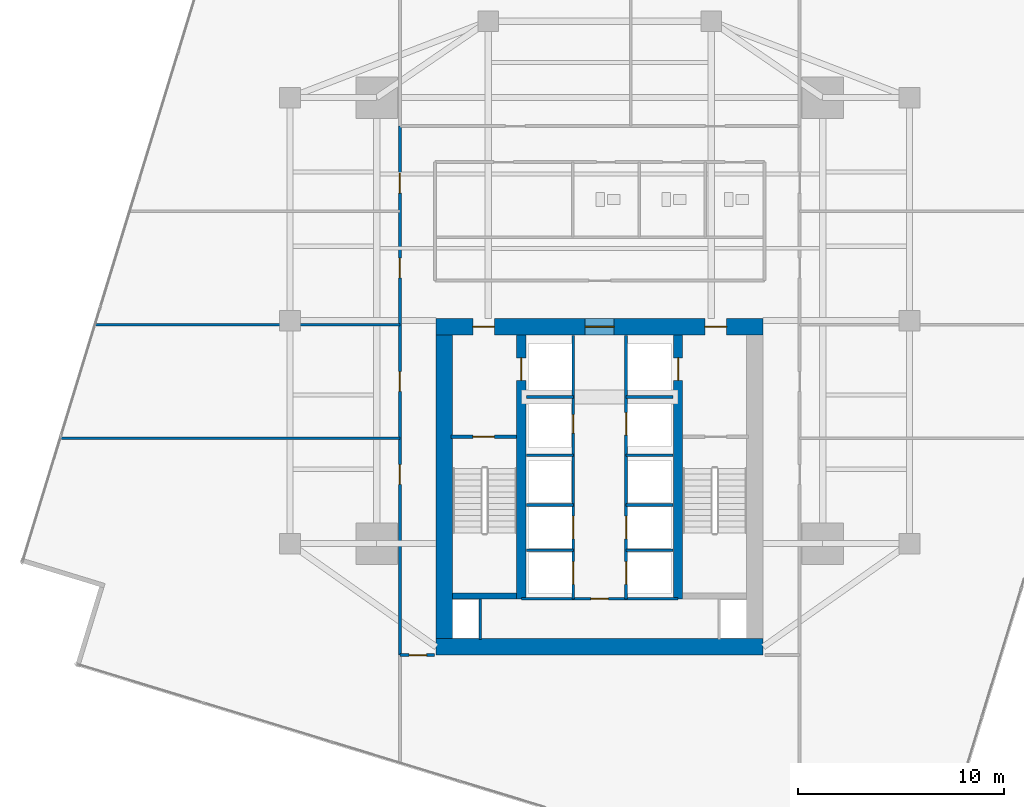
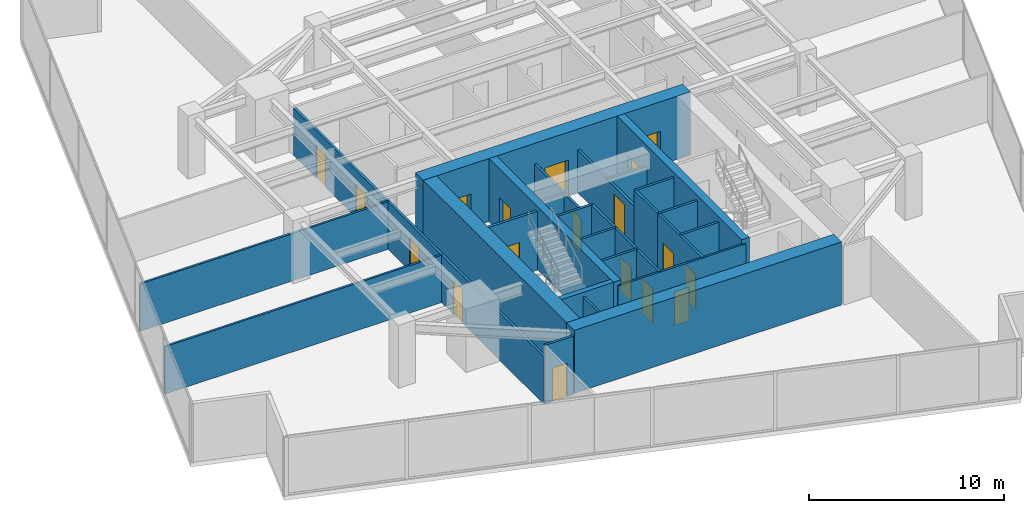
# One storey, part 22 of 26: 27 walls, 18 doors, 18 openings.
"""IFC4 building model written with IfcOpenShell, lengths in metres."""

from ifc_helpers import new_model, si_unit, direction, frame, frame_2d, origin, place, context, subcontext, project, spatial, rectangle, extrude, material, layer, layer_set, type_object, element, fill, save


model = new_model("IFC4")

# Units and contexts
model_context = context("Model", 3, precision=1e-05, world=origin(), true_north=direction((0.0, 1.0)))
body_context = subcontext(model_context, "Body", "Model", "MODEL_VIEW")
ifc_project = project(units=[si_unit("LENGTHUNIT", "METRE"), si_unit("AREAUNIT", "SQUARE_METRE"), si_unit("VOLUMEUNIT", "CUBIC_METRE"), si_unit("PLANEANGLEUNIT", "RADIAN"), si_unit("MASSUNIT", "GRAM", prefix="KILO")], contexts=[model_context])

# Site, building, storey
site_placement = place(None, origin())
site = spatial("IfcSite", under=ifc_project, at=site_placement, CompositionType="ELEMENT")
building_placement = place(site_placement, origin())
building = spatial("IfcBuilding", under=site, at=building_placement, Name="Krantzveldt Concourse Tower", CompositionType="ELEMENT")
storey_placement = place(building_placement, frame((0.0, 0.0, 113.75)))
storey = spatial("IfcBuildingStorey", under=building, at=storey_placement, Name="L27", CompositionType="ELEMENT", Elevation=113.75)

# Wall, opening, door
ifc_material_1 = material(Name="Fire-rated gypsum plasterboard on steel stud", Category="steel")
ifc_layer_1 = layer(ifc_material_1, 0.1201171875, Name="Fire-rated gypsum plasterboard on steel stud", Category="steel")
ifc_layer_set_1 = layer_set([ifc_layer_1], Name="Fire-rated gypsum plasterboard on steel stud (WL-PART-120)")
wall_type_1 = type_object("IfcWallType", Name="WL-PART-120", PredefinedType="PARTITIONING", material=ifc_layer_set_1)
wall_1_placement = place(storey_placement, frame((32.2099609375, 13.219970703125, 0.0), z_axis=(0.0, 0.0, 1.0), x_axis=(1.0, 0.0, 0.0)))
wall_1 = element("IfcWall", 1, at=wall_1_placement, inside=storey, type_object=wall_type_1, Name="WP-L27-CS2H", PredefinedType="PARTITIONING", context=body_context, shape_type="SweptSolid", body=[
    extrude(rectangle(XDim=7.580078125, YDim=0.1201171875, at=frame_2d((3.7900390625, 0.0))), origin(), (0.0, 0.0, 1.0), 3.669921875),
])
opening_1_placement = place(wall_1_placement, frame((3.364990234375, 0.0, 0.0)))
opening_1 = element("IfcOpeningElement", 2, at=opening_1_placement, cuts=wall_1, Name="Opening D-IN085", PredefinedType="OPENING", context=body_context, shape_type="SweptSolid", body=[
    extrude(rectangle(XDim=0.85009765625, YDim=2.10009765625, at=frame_2d((0.425048828125, 1.050048828125))), frame((0.0, 0.070068359375, 0.0), z_axis=(0.0, -1.0, 0.0), x_axis=(1.0, 0.0, 0.0)), (0.0, 0.0, 1.0), 0.14013671875),
])
ifc_material_2 = material(Name="Hardwood timber", Category="wood")
door_type_1 = type_object("IfcDoorType", Name="DR-INT-850", OperationType="SINGLE_SWING_LEFT", PredefinedType="DOOR", material=ifc_material_2)
door_1_placement = place(opening_1_placement, origin())
door_1 = element("IfcDoor", 3, at=door_1_placement, inside=storey, type_object=door_type_1, Name="DR-L27-CSC1", OperationType="SINGLE_SWING_RIGHT", OverallHeight=2.10009765625, OverallWidth=0.85009765625, PredefinedType="DOOR", context=body_context, shape_type="SweptSolid", body=[
    extrude(rectangle(XDim=0.85009765625, YDim=2.10009765625, at=frame_2d((0.425048828125, 1.050048828125))), frame((0.0, 0.02490234375, 0.0), z_axis=(0.0, -1.0, 0.0), x_axis=(1.0, 0.0, 0.0)), (0.0, 0.0, 1.0), 0.050048828125),
])
fill(opening_1, door_1)

# Walls
wall_2_placement = place(storey_placement, frame((9.88232421875, 21.0, 0.0), z_axis=(0.0, 0.0, 1.0), x_axis=(1.0, 0.0, 0.0)))
element("IfcWall", 4, at=wall_2_placement, inside=storey, type_object=wall_type_1, Name="WP-L27-WD1", PredefinedType="PARTITIONING", context=body_context, shape_type="SweptSolid", body=[
    extrude(rectangle(XDim=16.437744140625, YDim=0.1201171875, at=frame_2d((8.21875, 0.0))), origin(), (0.0, 0.0, 1.0), 2.969970703125),
])
wall_3_placement = place(storey_placement, frame((11.563720703125, 26.5, 0.0), z_axis=(0.0, 0.0, 1.0), x_axis=(1.0, 0.0, 0.0)))
element("IfcWall", 5, at=wall_3_placement, inside=storey, type_object=wall_type_1, Name="WP-L27-WD2", PredefinedType="PARTITIONING", context=body_context, shape_type="SweptSolid", body=[
    extrude(rectangle(XDim=14.75634765625, YDim=0.1201171875, at=frame_2d((7.378173828125, 0.0))), origin(), (0.0, 0.0, 1.0), 2.969970703125),
])

# Wall, openings, doors
ifc_layer_2 = layer(ifc_material_1, 0.139892578125, Name="Fire-rated gypsum plasterboard on steel stud", Category="steel")
ifc_layer_set_2 = layer_set([ifc_layer_2], Name="Fire-rated gypsum plasterboard on steel stud (WL-PART-140)")
wall_type_2 = type_object("IfcWallType", Name="WL-PART-140", PredefinedType="PARTITIONING", material=ifc_layer_set_2)
wall_4_placement = place(storey_placement, frame((26.320068359375, 10.5, 0.0), z_axis=(0.0, 0.0, 1.0), x_axis=(0.0, 1.0, 0.0)))
wall_4 = element("IfcWall", 6, at=wall_4_placement, inside=storey, type_object=wall_type_2, Name="WP-L27-CWEST", PredefinedType="PARTITIONING", context=body_context, shape_type="SweptSolid", body=[
    extrude(rectangle(XDim=25.6201171875, YDim=0.139892578125, at=frame_2d((12.81005859375, 0.0))), origin(), (0.0, 0.0, 1.0), 2.969970703125),
])
opening_2_placement = place(wall_4_placement, frame((8.27490234375, 0.0, 0.0)))
opening_2 = element("IfcOpeningElement", 7, at=opening_2_placement, cuts=wall_4, Name="Opening D-IN095", PredefinedType="OPENING", context=body_context, shape_type="SweptSolid", body=[
    extrude(rectangle(XDim=0.949951171875, YDim=2.10009765625, at=frame_2d((0.47509765625, 1.050048828125))), frame((0.0, 0.080078125, 0.0), z_axis=(0.0, -1.0, 0.0), x_axis=(1.0, 0.0, 0.0)), (0.0, 0.0, 1.0), 0.159912109375),
])
opening_3_placement = place(wall_4_placement, frame((12.77490234375, 0.0, 0.0)))
opening_3 = element("IfcOpeningElement", 8, at=opening_3_placement, cuts=wall_4, Name="Opening D-IN095", PredefinedType="OPENING", context=body_context, shape_type="SweptSolid", body=[
    extrude(rectangle(XDim=0.949951171875, YDim=2.10009765625, at=frame_2d((0.47509765625, 1.050048828125))), frame((0.0, 0.080078125, 0.0), z_axis=(0.0, -1.0, 0.0), x_axis=(1.0, 0.0, 0.0)), (0.0, 0.0, 1.0), 0.159912109375),
])
opening_4_placement = place(wall_4_placement, frame((18.27490234375, 0.0, 0.0)))
opening_4 = element("IfcOpeningElement", 9, at=opening_4_placement, cuts=wall_4, Name="Opening D-IN095", PredefinedType="OPENING", context=body_context, shape_type="SweptSolid", body=[
    extrude(rectangle(XDim=0.949951171875, YDim=2.10009765625, at=frame_2d((0.47509765625, 1.050048828125))), frame((0.0, 0.080078125, 0.0), z_axis=(0.0, -1.0, 0.0), x_axis=(1.0, 0.0, 0.0)), (0.0, 0.0, 1.0), 0.159912109375),
])
opening_5_placement = place(wall_4_placement, frame((22.375, 0.0, 0.0)))
opening_5 = element("IfcOpeningElement", 10, at=opening_5_placement, cuts=wall_4, Name="Opening D-IN095", PredefinedType="OPENING", context=body_context, shape_type="SweptSolid", body=[
    extrude(rectangle(XDim=0.949951171875, YDim=2.10009765625, at=frame_2d((0.47509765625, 1.050048828125))), frame((0.0, 0.080078125, 0.0), z_axis=(0.0, -1.0, 0.0), x_axis=(1.0, 0.0, 0.0)), (0.0, 0.0, 1.0), 0.159912109375),
])
door_type_2 = type_object("IfcDoorType", Name="DR-INT-950", OperationType="SINGLE_SWING_LEFT", PredefinedType="DOOR", material=ifc_material_2)
door_2_placement = place(opening_2_placement, origin())
door_2 = element("IfcDoor", 11, at=door_2_placement, inside=storey, type_object=door_type_2, Name="DR-L27-WR1", OperationType="SINGLE_SWING_LEFT", OverallHeight=2.10009765625, OverallWidth=0.949951171875, PredefinedType="DOOR", context=body_context, shape_type="SweptSolid", body=[
    extrude(rectangle(XDim=0.949951171875, YDim=2.10009765625, at=frame_2d((0.47509765625, 1.050048828125))), frame((0.0, 0.02490234375, 0.0), z_axis=(0.0, -1.0, 0.0), x_axis=(1.0, 0.0, 0.0)), (0.0, 0.0, 1.0), 0.050048828125),
])
fill(opening_2, door_2)
door_3_placement = place(opening_3_placement, origin())
door_3 = element("IfcDoor", 12, at=door_3_placement, inside=storey, type_object=door_type_2, Name="DR-L27-WR2", OperationType="SINGLE_SWING_LEFT", OverallHeight=2.10009765625, OverallWidth=0.949951171875, PredefinedType="DOOR", context=body_context, shape_type="SweptSolid", body=[
    extrude(rectangle(XDim=0.949951171875, YDim=2.10009765625, at=frame_2d((0.47509765625, 1.050048828125))), frame((0.0, 0.02490234375, 0.0), z_axis=(0.0, -1.0, 0.0), x_axis=(1.0, 0.0, 0.0)), (0.0, 0.0, 1.0), 0.050048828125),
])
fill(opening_3, door_3)
door_4_placement = place(opening_4_placement, origin())
door_4 = element("IfcDoor", 13, at=door_4_placement, inside=storey, type_object=door_type_2, Name="DR-L27-WR3", OperationType="SINGLE_SWING_LEFT", OverallHeight=2.10009765625, OverallWidth=0.949951171875, PredefinedType="DOOR", context=body_context, shape_type="SweptSolid", body=[
    extrude(rectangle(XDim=0.949951171875, YDim=2.10009765625, at=frame_2d((0.47509765625, 1.050048828125))), frame((0.0, 0.02490234375, 0.0), z_axis=(0.0, -1.0, 0.0), x_axis=(1.0, 0.0, 0.0)), (0.0, 0.0, 1.0), 0.050048828125),
])
fill(opening_4, door_4)
door_5_placement = place(opening_5_placement, origin())
door_5 = element("IfcDoor", 14, at=door_5_placement, inside=storey, type_object=door_type_2, Name="DR-L27-WR4", OperationType="SINGLE_SWING_LEFT", OverallHeight=2.10009765625, OverallWidth=0.949951171875, PredefinedType="DOOR", context=body_context, shape_type="SweptSolid", body=[
    extrude(rectangle(XDim=0.949951171875, YDim=2.10009765625, at=frame_2d((0.47509765625, 1.050048828125))), frame((0.0, 0.02490234375, 0.0), z_axis=(0.0, -1.0, 0.0), x_axis=(1.0, 0.0, 0.0)), (0.0, 0.0, 1.0), 0.050048828125),
])
fill(opening_5, door_5)

# Wall, opening, door
wall_5_placement = place(storey_placement, frame((26.320068359375, 10.5, 0.0), z_axis=(0.0, 0.0, 1.0), x_axis=(1.0, 0.0, 0.0)))
wall_5 = element("IfcWall", 15, at=wall_5_placement, inside=storey, type_object=wall_type_2, Name="WP-L27-CWBOT", PredefinedType="PARTITIONING", context=body_context, shape_type="SweptSolid", body=[
    extrude(rectangle(XDim=1.679931640625, YDim=0.139892578125, at=frame_2d((0.83984375, 0.0))), origin(), (0.0, 0.0, 1.0), 3.669921875),
])
opening_6_placement = place(wall_5_placement, frame((0.445068359375, 0.0, 0.0)))
opening_6 = element("IfcOpeningElement", 16, at=opening_6_placement, cuts=wall_5, Name="Opening D-IN085", PredefinedType="OPENING", context=body_context, shape_type="SweptSolid", body=[
    extrude(rectangle(XDim=0.85009765625, YDim=2.10009765625, at=frame_2d((0.425048828125, 1.050048828125))), frame((0.0, 0.080078125, 0.0), z_axis=(0.0, -1.0, 0.0), x_axis=(1.0, 0.0, 0.0)), (0.0, 0.0, 1.0), 0.159912109375),
])
door_6_placement = place(opening_6_placement, origin())
door_6 = element("IfcDoor", 17, at=door_6_placement, inside=storey, type_object=door_type_1, Name="DR-L27-SR1", OperationType="SINGLE_SWING_LEFT", OverallHeight=2.10009765625, OverallWidth=0.85009765625, PredefinedType="DOOR", context=body_context, shape_type="SweptSolid", body=[
    extrude(rectangle(XDim=0.85009765625, YDim=2.10009765625, at=frame_2d((0.425048828125, 1.050048828125))), frame((0.0, 0.02490234375, 0.0), z_axis=(0.0, -1.0, 0.0), x_axis=(1.0, 0.0, 0.0)), (0.0, 0.0, 1.0), 0.050048828125),
])
fill(opening_6, door_6)

ifc_layer_3 = layer(ifc_material_1, 0.139892578125, Name="Fire-rated gypsum plasterboard on steel stud", Category="steel")
ifc_layer_set_3 = layer_set([ifc_layer_3], Name="Fire-rated gypsum plasterboard on steel stud (WL-PART-FR140)")
wall_type_3 = type_object("IfcWallType", Name="WL-PART-FR140", PredefinedType="PARTITIONING", material=ifc_layer_set_3)
wall_6_placement = place(storey_placement, frame((34.719970703125, 20.199951171875, 0.0), z_axis=(0.0, 0.0, 1.0), x_axis=(0.0, 1.0, 0.0)))
wall_6 = element("IfcWall", 18, at=wall_6_placement, inside=storey, type_object=wall_type_3, Name="WP-L27-SHNW", PredefinedType="PARTITIONING", context=body_context, shape_type="SweptSolid", body=[
    extrude(rectangle(XDim=5.780029296875, YDim=0.139892578125, at=frame_2d((2.89013671875, 0.0))), origin(), (0.0, 0.0, 1.0), 2.669921875),
])
opening_7_placement = place(wall_6_placement, frame((1.050048828125, 0.0, 0.0)))
opening_7 = element("IfcOpeningElement", 19, at=opening_7_placement, cuts=wall_6, Name="Opening D-FD090", PredefinedType="OPENING", context=body_context, shape_type="SweptSolid", body=[
    extrude(rectangle(XDim=0.89990234375, YDim=2.10009765625, at=frame_2d((0.449951171875, 1.050048828125))), frame((0.0, 0.080078125, 0.0), z_axis=(0.0, -1.0, 0.0), x_axis=(1.0, 0.0, 0.0)), (0.0, 0.0, 1.0), 0.159912109375),
])
door_type_3 = type_object("IfcDoorType", Name="DR-FD60-900", OperationType="SINGLE_SWING_LEFT", PredefinedType="DOOR", material=ifc_material_2)
door_7_placement = place(opening_7_placement, origin())
door_7 = element("IfcDoor", 20, at=door_7_placement, inside=storey, type_object=door_type_3, Name="Electrical Riser Access Door L27", OperationType="SINGLE_SWING_LEFT", OverallHeight=2.10009765625, OverallWidth=0.89990234375, PredefinedType="DOOR", context=body_context, shape_type="SweptSolid", body=[
    extrude(rectangle(XDim=0.89990234375, YDim=2.10009765625, at=frame_2d((0.449951171875, 1.050048828125))), frame((0.0, 0.02490234375, 0.0), z_axis=(0.0, -1.0, 0.0), x_axis=(1.0, 0.0, 0.0)), (0.0, 0.0, 1.0), 0.050048828125),
])
fill(opening_7, door_7)

wall_7_placement = place(storey_placement, frame((37.280029296875, 20.199951171875, 0.0), z_axis=(0.0, 0.0, 1.0), x_axis=(0.0, 1.0, 0.0)))
wall_7 = element("IfcWall", 21, at=wall_7_placement, inside=storey, type_object=wall_type_3, Name="WP-L27-SHNE", PredefinedType="PARTITIONING", context=body_context, shape_type="SweptSolid", body=[
    extrude(rectangle(XDim=5.780029296875, YDim=0.139892578125, at=frame_2d((2.89013671875, 0.0))), origin(), (0.0, 0.0, 1.0), 2.669921875),
])
opening_8_placement = place(wall_7_placement, frame((0.949951171875, 0.0, 0.0)))
opening_8 = element("IfcOpeningElement", 22, at=opening_8_placement, cuts=wall_7, Name="Opening LD", PredefinedType="OPENING", context=body_context, shape_type="SweptSolid", body=[
    extrude(rectangle(XDim=1.10009765625, YDim=2.14990234375, at=frame_2d((0.550048828125, 1.074951171875))), frame((0.0, 0.080078125, 0.0), z_axis=(0.0, -1.0, 0.0), x_axis=(1.0, 0.0, 0.0)), (0.0, 0.0, 1.0), 0.159912109375),
])
ifc_material_3 = material(Name="Stainless steel 316L", Category="steel")
door_type_4 = type_object("IfcDoorType", Name="DR-SLIDE-LD1100", OperationType="DOUBLE_DOOR_SLIDING", PredefinedType="DOOR", material=ifc_material_3)
door_8_placement = place(opening_8_placement, origin())
door_8 = element("IfcDoor", 23, at=door_8_placement, inside=storey, type_object=door_type_4, Name="LD-L27-GL1", OperationType="DOUBLE_DOOR_SLIDING", OverallHeight=2.14990234375, OverallWidth=1.10009765625, PredefinedType="DOOR", context=body_context, shape_type="SweptSolid", body=[
    extrude(rectangle(XDim=1.10009765625, YDim=2.14990234375, at=frame_2d((0.550048828125, 1.074951171875))), frame((0.0, 0.02490234375, 0.0), z_axis=(0.0, -1.0, 0.0), x_axis=(1.0, 0.0, 0.0)), (0.0, 0.0, 1.0), 0.050048828125),
])
fill(opening_8, door_8)

# Walls
for number, where, z_axis, x_axis, name in (
    (24, (32.449951171875, 23.0, 0.0), (0.0, 0.0, 1.0), (1.0, 0.0, 0.0), "WP-L27-RISH"),
    (25, (37.280029296875, 23.0, 0.0), (0.0, 0.0, 1.0), (1.0, 0.0, 0.0), "WP-L27-GLH"),
):
    element("IfcWall", number, at=place(storey_placement, frame(where, z_axis=z_axis, x_axis=x_axis)), inside=storey, type_object=wall_type_3, Name=name, PredefinedType="PARTITIONING", context=body_context, shape_type="SweptSolid", body=[
        extrude(rectangle(XDim=2.27001953125, YDim=0.139892578125, at=frame_2d((1.135009765625, 0.0))), origin(), (0.0, 0.0, 1.0), 2.669921875),
    ])
for number, where, z_axis, x_axis, name in (
    (26, (34.719970703125, 17.780029296875, 0.0), (0.0, 0.0, 1.0), (0.0, 1.0, 0.0), "WP-L27-SHNW2"),
    (27, (37.280029296875, 17.780029296875, 0.0), (0.0, 0.0, 1.0), (0.0, 1.0, 0.0), "WP-L27-SHNE2"),
):
    element("IfcWall", number, at=place(storey_placement, frame(where, z_axis=z_axis, x_axis=x_axis)), inside=storey, type_object=wall_type_3, Name=name, PredefinedType="PARTITIONING", context=body_context, shape_type="SweptSolid", body=[
        extrude(rectangle(XDim=2.419921875, YDim=0.139892578125, at=frame_2d((1.2099609375, 0.0))), origin(), (0.0, 0.0, 1.0), 3.669921875),
    ])
for number, where, z_axis, x_axis, name in (
    (28, (32.449951171875, 17.780029296875, 0.0), (0.0, 0.0, 1.0), (1.0, 0.0, 0.0), "WP-L27-DIVW2"),
    (29, (32.449951171875, 20.179931640625, 0.0), (0.0, 0.0, 1.0), (1.0, 0.0, 0.0), "WP-L27-DIVW3"),
    (30, (37.280029296875, 17.780029296875, 0.0), (0.0, 0.0, 1.0), (1.0, 0.0, 0.0), "WP-L27-DIVE2"),
    (31, (37.280029296875, 20.179931640625, 0.0), (0.0, 0.0, 1.0), (1.0, 0.0, 0.0), "WP-L27-DIVE3"),
):
    element("IfcWall", number, at=place(storey_placement, frame(where, z_axis=z_axis, x_axis=x_axis)), inside=storey, type_object=wall_type_3, Name=name, PredefinedType="PARTITIONING", context=body_context, shape_type="SweptSolid", body=[
        extrude(rectangle(XDim=2.27001953125, YDim=0.139892578125, at=frame_2d((1.135009765625, 0.0))), origin(), (0.0, 0.0, 1.0), 3.669921875),
    ])

# Wall, openings, doors
wall_8_placement = place(storey_placement, frame((34.719970703125, 13.219970703125, 0.0), z_axis=(0.0, 0.0, 1.0), x_axis=(0.0, 1.0, 0.0)))
wall_8 = element("IfcWall", 32, at=wall_8_placement, inside=storey, type_object=wall_type_3, Name="WP-L27-SHSW", PredefinedType="PARTITIONING", context=body_context, shape_type="SweptSolid", body=[
    extrude(rectangle(XDim=4.56005859375, YDim=0.139892578125, at=frame_2d((2.280029296875, 0.0))), origin(), (0.0, 0.0, 1.0), 3.669921875),
])
opening_9_placement = place(wall_8_placement, frame((0.7099609375, 0.0, 0.0)))
opening_9 = element("IfcOpeningElement", 33, at=opening_9_placement, cuts=wall_8, Name="Opening LD", PredefinedType="OPENING", context=body_context, shape_type="SweptSolid", body=[
    extrude(rectangle(XDim=1.10009765625, YDim=2.14990234375, at=frame_2d((0.550048828125, 1.074951171875))), frame((0.0, 0.080078125, 0.0), z_axis=(0.0, -1.0, 0.0), x_axis=(1.0, 0.0, 0.0)), (0.0, 0.0, 1.0), 0.159912109375),
])
opening_10_placement = place(wall_8_placement, frame((2.909912109375, 0.0, 0.0)))
opening_10 = element("IfcOpeningElement", 34, at=opening_10_placement, cuts=wall_8, Name="Opening LD", PredefinedType="OPENING", context=body_context, shape_type="SweptSolid", body=[
    extrude(rectangle(XDim=1.10009765625, YDim=2.14990234375, at=frame_2d((0.550048828125, 1.074951171875))), frame((0.0, 0.080078125, 0.0), z_axis=(0.0, -1.0, 0.0), x_axis=(1.0, 0.0, 0.0)), (0.0, 0.0, 1.0), 0.159912109375),
])
door_9_placement = place(opening_9_placement, origin())
door_9 = element("IfcDoor", 35, at=door_9_placement, inside=storey, type_object=door_type_4, Name="LD-L27-PL1", OperationType="DOUBLE_DOOR_SLIDING", OverallHeight=2.14990234375, OverallWidth=1.10009765625, PredefinedType="DOOR", context=body_context, shape_type="SweptSolid", body=[
    extrude(rectangle(XDim=1.10009765625, YDim=2.14990234375, at=frame_2d((0.550048828125, 1.074951171875))), frame((0.0, 0.02490234375, 0.0), z_axis=(0.0, -1.0, 0.0), x_axis=(1.0, 0.0, 0.0)), (0.0, 0.0, 1.0), 0.050048828125),
])
fill(opening_9, door_9)
door_10_placement = place(opening_10_placement, origin())
door_10 = element("IfcDoor", 36, at=door_10_placement, inside=storey, type_object=door_type_4, Name="LD-L27-PL2", OperationType="DOUBLE_DOOR_SLIDING", OverallHeight=2.14990234375, OverallWidth=1.10009765625, PredefinedType="DOOR", context=body_context, shape_type="SweptSolid", body=[
    extrude(rectangle(XDim=1.10009765625, YDim=2.14990234375, at=frame_2d((0.550048828125, 1.074951171875))), frame((0.0, 0.02490234375, 0.0), z_axis=(0.0, -1.0, 0.0), x_axis=(1.0, 0.0, 0.0)), (0.0, 0.0, 1.0), 0.050048828125),
])
fill(opening_10, door_10)

# Wall
wall_9_placement = place(storey_placement, frame((32.449951171875, 15.580078125, 0.0), z_axis=(0.0, 0.0, 1.0), x_axis=(1.0, 0.0, 0.0)))
element("IfcWall", 37, at=wall_9_placement, inside=storey, type_object=wall_type_3, Name="WP-L27-DIVW1", PredefinedType="PARTITIONING", context=body_context, shape_type="SweptSolid", body=[
    extrude(rectangle(XDim=2.27001953125, YDim=0.139892578125, at=frame_2d((1.135009765625, 0.0))), origin(), (0.0, 0.0, 1.0), 3.669921875),
])

# Wall, openings, doors
wall_10_placement = place(storey_placement, frame((37.280029296875, 13.219970703125, 0.0), z_axis=(0.0, 0.0, 1.0), x_axis=(0.0, 1.0, 0.0)))
wall_10 = element("IfcWall", 38, at=wall_10_placement, inside=storey, type_object=wall_type_3, Name="WP-L27-SHSE", PredefinedType="PARTITIONING", context=body_context, shape_type="SweptSolid", body=[
    extrude(rectangle(XDim=4.56005859375, YDim=0.139892578125, at=frame_2d((2.280029296875, 0.0))), origin(), (0.0, 0.0, 1.0), 3.669921875),
])
opening_11_placement = place(wall_10_placement, frame((0.7099609375, 0.0, 0.0)))
opening_11 = element("IfcOpeningElement", 39, at=opening_11_placement, cuts=wall_10, Name="Opening LD", PredefinedType="OPENING", context=body_context, shape_type="SweptSolid", body=[
    extrude(rectangle(XDim=1.10009765625, YDim=2.14990234375, at=frame_2d((0.550048828125, 1.074951171875))), frame((0.0, 0.080078125, 0.0), z_axis=(0.0, -1.0, 0.0), x_axis=(1.0, 0.0, 0.0)), (0.0, 0.0, 1.0), 0.159912109375),
])
opening_12_placement = place(wall_10_placement, frame((2.909912109375, 0.0, 0.0)))
opening_12 = element("IfcOpeningElement", 40, at=opening_12_placement, cuts=wall_10, Name="Opening LD", PredefinedType="OPENING", context=body_context, shape_type="SweptSolid", body=[
    extrude(rectangle(XDim=1.10009765625, YDim=2.14990234375, at=frame_2d((0.550048828125, 1.074951171875))), frame((0.0, 0.080078125, 0.0), z_axis=(0.0, -1.0, 0.0), x_axis=(1.0, 0.0, 0.0)), (0.0, 0.0, 1.0), 0.159912109375),
])
door_11_placement = place(opening_11_placement, origin())
door_11 = element("IfcDoor", 41, at=door_11_placement, inside=storey, type_object=door_type_4, Name="LD-L27-PM1", OperationType="DOUBLE_DOOR_SLIDING", OverallHeight=2.14990234375, OverallWidth=1.10009765625, PredefinedType="DOOR", context=body_context, shape_type="SweptSolid", body=[
    extrude(rectangle(XDim=1.10009765625, YDim=2.14990234375, at=frame_2d((0.550048828125, 1.074951171875))), frame((0.0, 0.02490234375, 0.0), z_axis=(0.0, -1.0, 0.0), x_axis=(1.0, 0.0, 0.0)), (0.0, 0.0, 1.0), 0.050048828125),
])
fill(opening_11, door_11)
door_12_placement = place(opening_12_placement, origin())
door_12 = element("IfcDoor", 42, at=door_12_placement, inside=storey, type_object=door_type_4, Name="LD-L27-PM2", OperationType="DOUBLE_DOOR_SLIDING", OverallHeight=2.14990234375, OverallWidth=1.10009765625, PredefinedType="DOOR", context=body_context, shape_type="SweptSolid", body=[
    extrude(rectangle(XDim=1.10009765625, YDim=2.14990234375, at=frame_2d((0.550048828125, 1.074951171875))), frame((0.0, 0.02490234375, 0.0), z_axis=(0.0, -1.0, 0.0), x_axis=(1.0, 0.0, 0.0)), (0.0, 0.0, 1.0), 0.050048828125),
])
fill(opening_12, door_12)

# Walls
wall_11_placement = place(storey_placement, frame((37.280029296875, 15.580078125, 0.0), z_axis=(0.0, 0.0, 1.0), x_axis=(1.0, 0.0, 0.0)))
element("IfcWall", 43, at=wall_11_placement, inside=storey, type_object=wall_type_3, Name="WP-L27-DIVE1", PredefinedType="PARTITIONING", context=body_context, shape_type="SweptSolid", body=[
    extrude(rectangle(XDim=2.27001953125, YDim=0.139892578125, at=frame_2d((1.135009765625, 0.0))), origin(), (0.0, 0.0, 1.0), 3.669921875),
])
wall_12_placement = place(storey_placement, frame((30.219970703125, 11.25, 0.0), z_axis=(0.0, 0.0, 1.0), x_axis=(0.0, 1.0, 0.0)))
element("IfcWall", 44, at=wall_12_placement, inside=storey, type_object=wall_type_3, Name="WP-L27-RSW", PredefinedType="PARTITIONING", context=body_context, shape_type="SweptSolid", body=[
    extrude(rectangle(XDim=1.969970703125, YDim=0.1201171875, at=frame_2d((0.98486328125, 0.0))), origin(), (0.0, 0.0, 1.0), 3.669921875),
])

# Wall, opening, door
ifc_layer_4 = layer(ifc_material_1, 0.159912109375, Name="Fire-rated gypsum plasterboard on steel stud", Category="steel")
ifc_layer_set_4 = layer_set([ifc_layer_4], Name="Fire-rated gypsum plasterboard on steel stud (WL-PART-FR160)")
wall_type_4 = type_object("IfcWallType", Name="WL-PART-FR160", PredefinedType="PARTITIONING", material=ifc_layer_set_4)
wall_13_placement = place(storey_placement, frame((28.800048828125, 21.080078125, 0.0), z_axis=(0.0, 0.0, 1.0), x_axis=(1.0, 0.0, 0.0)))
wall_13 = element("IfcWall", 45, at=wall_13_placement, inside=storey, type_object=wall_type_4, Name="WP-L27-ST1", PredefinedType="PARTITIONING", context=body_context, shape_type="SweptSolid", body=[
    extrude(rectangle(XDim=3.159912109375, YDim=0.159912109375, at=frame_2d((1.580078125, 0.0))), origin(), (0.0, 0.0, 1.0), 3.669921875),
])
opening_13_placement = place(wall_13_placement, frame((1.054931640625, 0.0, 0.0)))
opening_13 = element("IfcOpeningElement", 46, at=opening_13_placement, cuts=wall_13, Name="Opening D-FD105", PredefinedType="OPENING", context=body_context, shape_type="SweptSolid", body=[
    extrude(rectangle(XDim=1.050048828125, YDim=2.10009765625, at=frame_2d((0.52490234375, 1.050048828125))), frame((0.0, 0.08984375, 0.0), z_axis=(0.0, -1.0, 0.0), x_axis=(1.0, 0.0, 0.0)), (0.0, 0.0, 1.0), 0.179931640625),
])
ifc_material_4 = material(Name="Galvanised steel", Category="steel")
door_type_5 = type_object("IfcDoorType", Name="DR-FD120-1050", OperationType="SINGLE_SWING_LEFT", PredefinedType="DOOR", material=ifc_material_4)
door_13_placement = place(opening_13_placement, origin())
door_13 = element("IfcDoor", 47, at=door_13_placement, inside=storey, type_object=door_type_5, Name="DR-L27-ST1", OperationType="SINGLE_SWING_RIGHT", OverallHeight=2.10009765625, OverallWidth=1.050048828125, PredefinedType="DOOR", context=body_context, shape_type="SweptSolid", body=[
    extrude(rectangle(XDim=1.050048828125, YDim=2.10009765625, at=frame_2d((0.52490234375, 1.050048828125))), frame((0.0, 0.02490234375, 0.0), z_axis=(0.0, -1.0, 0.0), x_axis=(1.0, 0.0, 0.0)), (0.0, 0.0, 1.0), 0.050048828125),
])
fill(opening_13, door_13)

# Wall
ifc_material_5 = material(Name="Concrete C50/60", Category="concrete")
ifc_layer_5 = layer(ifc_material_5, 0.300048828125, Name="Concrete C50/60", Category="concrete")
ifc_layer_set_5 = layer_set([ifc_layer_5], Name="Concrete C50/60 (WL-SHEAR-300)")
wall_type_5 = type_object("IfcWallType", Name="WL-SHEAR-300", PredefinedType="SHEAR", material=ifc_layer_set_5)
wall_14_placement = place(storey_placement, frame((28.8798828125, 13.3701171875, 0.0), z_axis=(0.0, 0.0, 1.0), x_axis=(1.0, 0.0, 0.0)))
element("IfcWall", 48, at=wall_14_placement, inside=storey, type_object=wall_type_5, Name="CW-L27-ST1S", PredefinedType="SHEAR", context=body_context, shape_type="SweptSolid", body=[
    extrude(rectangle(XDim=3.10009765625, YDim=0.300048828125, at=frame_2d((1.550048828125, 0.0))), origin(), (0.0, 0.0, 1.0), 3.949951171875),
])

# Wall, opening, door
ifc_layer_6 = layer(ifc_material_5, 0.449951171875, Name="Concrete C50/60", Category="concrete")
ifc_layer_set_6 = layer_set([ifc_layer_6], Name="Concrete C50/60 (WL-SHEAR-450)")
wall_type_6 = type_object("IfcWallType", Name="WL-SHEAR-450", PredefinedType="SHEAR", material=ifc_layer_set_6)
wall_15_placement = place(storey_placement, frame((32.205078125, 13.219970703125, 0.0), z_axis=(0.0, 0.0, 1.0), x_axis=(0.0, 1.0, 0.0)))
wall_15 = element("IfcWall", 49, at=wall_15_placement, inside=storey, type_object=wall_type_6, Name="CW-L27-IW", PredefinedType="SHEAR", context=body_context, shape_type="SweptSolid", body=[
    extrude(rectangle(XDim=12.780029296875, YDim=0.449951171875, at=frame_2d((6.39013671875, 0.0))), origin(), (0.0, 0.0, 1.0), 3.949951171875),
])
opening_14_placement = place(wall_15_placement, frame((10.580078125, 0.0, 0.0)))
opening_14 = element("IfcOpeningElement", 50, at=opening_14_placement, cuts=wall_15, Name="Opening LD", PredefinedType="OPENING", context=body_context, shape_type="SweptSolid", body=[
    extrude(rectangle(XDim=1.10009765625, YDim=2.14990234375, at=frame_2d((0.550048828125, 1.074951171875))), frame((0.0, 0.23486328125, 0.0), z_axis=(0.0, -1.0, 0.0), x_axis=(1.0, 0.0, 0.0)), (0.0, 0.0, 1.0), 0.469970703125),
])
door_14_placement = place(opening_14_placement, origin())
door_14 = element("IfcDoor", 51, at=door_14_placement, inside=storey, type_object=door_type_4, Name="LD-L27-FL1", OperationType="DOUBLE_DOOR_SLIDING", OverallHeight=2.14990234375, OverallWidth=1.10009765625, PredefinedType="DOOR", context=body_context, shape_type="SweptSolid", body=[
    extrude(rectangle(XDim=1.10009765625, YDim=2.14990234375, at=frame_2d((0.550048828125, 1.074951171875))), frame((0.0, 0.02490234375, 0.0), z_axis=(0.0, -1.0, 0.0), x_axis=(1.0, 0.0, 0.0)), (0.0, 0.0, 1.0), 0.050048828125),
])
fill(opening_14, door_14)

wall_16_placement = place(storey_placement, frame((39.794921875, 13.219970703125, 0.0), z_axis=(0.0, 0.0, 1.0), x_axis=(0.0, 1.0, 0.0)))
wall_16 = element("IfcWall", 52, at=wall_16_placement, inside=storey, type_object=wall_type_6, Name="CW-L27-IE", PredefinedType="SHEAR", context=body_context, shape_type="SweptSolid", body=[
    extrude(rectangle(XDim=12.780029296875, YDim=0.449951171875, at=frame_2d((6.39013671875, 0.0))), origin(), (0.0, 0.0, 1.0), 3.949951171875),
])
opening_15_placement = place(wall_16_placement, frame((10.580078125, 0.0, 0.0)))
opening_15 = element("IfcOpeningElement", 53, at=opening_15_placement, cuts=wall_16, Name="Opening LD", PredefinedType="OPENING", context=body_context, shape_type="SweptSolid", body=[
    extrude(rectangle(XDim=1.10009765625, YDim=2.14990234375, at=frame_2d((0.550048828125, 1.074951171875))), frame((0.0, 0.23486328125, 0.0), z_axis=(0.0, -1.0, 0.0), x_axis=(1.0, 0.0, 0.0)), (0.0, 0.0, 1.0), 0.469970703125),
])
door_15_placement = place(opening_15_placement, origin())
door_15 = element("IfcDoor", 54, at=door_15_placement, inside=storey, type_object=door_type_4, Name="LD-L27-FL2", OperationType="DOUBLE_DOOR_SLIDING", OverallHeight=2.14990234375, OverallWidth=1.10009765625, PredefinedType="DOOR", context=body_context, shape_type="SweptSolid", body=[
    extrude(rectangle(XDim=1.10009765625, YDim=2.14990234375, at=frame_2d((0.550048828125, 1.074951171875))), frame((0.0, 0.02490234375, 0.0), z_axis=(0.0, -1.0, 0.0), x_axis=(1.0, 0.0, 0.0)), (0.0, 0.0, 1.0), 0.050048828125),
])
fill(opening_15, door_15)

# Wall
ifc_material_6 = material(Name="Concrete C60/75", Category="concrete")
ifc_layer_7 = layer(ifc_material_6, 0.800048828125, Name="Concrete C60/75", Category="concrete")
ifc_layer_set_7 = layer_set([ifc_layer_7], Name="Concrete C60/75 (WL-SHEAR-800)")
wall_type_7 = type_object("IfcWallType", Name="WL-SHEAR-800", PredefinedType="SHEAR", material=ifc_layer_set_7)
wall_17_placement = place(storey_placement, frame((28.080078125, 10.89990234375, 0.0), z_axis=(0.0, 0.0, 1.0), x_axis=(1.0, 0.0, 0.0)))
element("IfcWall", 55, at=wall_17_placement, inside=storey, type_object=wall_type_7, Name="CW-L27-S", PredefinedType="SHEAR", context=body_context, shape_type="SweptSolid", body=[
    extrude(rectangle(XDim=15.83984375, YDim=0.800048828125, at=frame_2d((7.919921875, 0.0))), origin(), (0.0, 0.0, 1.0), 3.949951171875),
])

# Wall, openings, doors
wall_18_placement = place(storey_placement, frame((28.080078125, 26.39990234375, 0.0), z_axis=(0.0, 0.0, 1.0), x_axis=(1.0, 0.0, 0.0)))
wall_18 = element("IfcWall", 56, at=wall_18_placement, inside=storey, type_object=wall_type_7, Name="CW-L27-N", PredefinedType="SHEAR", context=body_context, shape_type="SweptSolid", body=[
    extrude(rectangle(XDim=15.83984375, YDim=0.800048828125, at=frame_2d((7.919921875, 0.0))), origin(), (0.0, 0.0, 1.0), 3.949951171875),
])
opening_16_placement = place(wall_18_placement, frame((7.219970703125, 0.0, 0.0)))
opening_16 = element("IfcOpeningElement", 57, at=opening_16_placement, cuts=wall_18, Name="Opening D-DB140", PredefinedType="OPENING", context=body_context, shape_type="SweptSolid", body=[
    extrude(rectangle(XDim=1.39990234375, YDim=2.199951171875, at=frame_2d((0.699951171875, 1.10009765625))), frame((0.0, 0.41015625, 0.0), z_axis=(0.0, -1.0, 0.0), x_axis=(1.0, 0.0, 0.0)), (0.0, 0.0, 1.0), 0.820068359375),
])
opening_17_placement = place(wall_18_placement, frame((1.77490234375, 0.0, 0.0)))
opening_17 = element("IfcOpeningElement", 58, at=opening_17_placement, cuts=wall_18, Name="Opening D-FD105", PredefinedType="OPENING", context=body_context, shape_type="SweptSolid", body=[
    extrude(rectangle(XDim=1.050048828125, YDim=2.10009765625, at=frame_2d((0.52490234375, 1.050048828125))), frame((0.0, 0.41015625, 0.0), z_axis=(0.0, -1.0, 0.0), x_axis=(1.0, 0.0, 0.0)), (0.0, 0.0, 1.0), 0.820068359375),
])
opening_18_placement = place(wall_18_placement, frame((13.014892578125, 0.0, 0.0)))
opening_18 = element("IfcOpeningElement", 59, at=opening_18_placement, cuts=wall_18, Name="Opening D-FD105", PredefinedType="OPENING", context=body_context, shape_type="SweptSolid", body=[
    extrude(rectangle(XDim=1.050048828125, YDim=2.10009765625, at=frame_2d((0.52490234375, 1.050048828125))), frame((0.0, 0.41015625, 0.0), z_axis=(0.0, -1.0, 0.0), x_axis=(1.0, 0.0, 0.0)), (0.0, 0.0, 1.0), 0.820068359375),
])
ifc_material_7 = material(Name="Anodised aluminium 6063-T6", Category="aluminium")
door_type_6 = type_object("IfcDoorType", Name="DR-DBL-1400", OperationType="DOUBLE_DOOR_SINGLE_SWING", PredefinedType="DOOR", material=ifc_material_7)
door_16_placement = place(opening_16_placement, origin())
door_16 = element("IfcDoor", 60, at=door_16_placement, inside=storey, type_object=door_type_6, Name="DR-L27-LLB", OperationType="DOUBLE_DOOR_SINGLE_SWING", OverallHeight=2.199951171875, OverallWidth=1.39990234375, PredefinedType="DOOR", context=body_context, shape_type="SweptSolid", body=[
    extrude(rectangle(XDim=1.39990234375, YDim=2.199951171875, at=frame_2d((0.699951171875, 1.10009765625))), frame((0.0, 0.02490234375, 0.0), z_axis=(0.0, -1.0, 0.0), x_axis=(1.0, 0.0, 0.0)), (0.0, 0.0, 1.0), 0.050048828125),
])
fill(opening_16, door_16)
door_17_placement = place(opening_17_placement, origin())
door_17 = element("IfcDoor", 61, at=door_17_placement, inside=storey, type_object=door_type_5, Name="DR-L27-FFL1", OperationType="SINGLE_SWING_LEFT", OverallHeight=2.10009765625, OverallWidth=1.050048828125, PredefinedType="DOOR", context=body_context, shape_type="SweptSolid", body=[
    extrude(rectangle(XDim=1.050048828125, YDim=2.10009765625, at=frame_2d((0.52490234375, 1.050048828125))), frame((0.0, 0.02490234375, 0.0), z_axis=(0.0, -1.0, 0.0), x_axis=(1.0, 0.0, 0.0)), (0.0, 0.0, 1.0), 0.050048828125),
])
fill(opening_17, door_17)
door_18_placement = place(opening_18_placement, origin())
door_18 = element("IfcDoor", 62, at=door_18_placement, inside=storey, type_object=door_type_5, Name="DR-L27-FFL2", OperationType="SINGLE_SWING_RIGHT", OverallHeight=2.10009765625, OverallWidth=1.050048828125, PredefinedType="DOOR", context=body_context, shape_type="SweptSolid", body=[
    extrude(rectangle(XDim=1.050048828125, YDim=2.10009765625, at=frame_2d((0.52490234375, 1.050048828125))), frame((0.0, 0.02490234375, 0.0), z_axis=(0.0, -1.0, 0.0), x_axis=(1.0, 0.0, 0.0)), (0.0, 0.0, 1.0), 0.050048828125),
])
fill(opening_18, door_18)

# Wall
wall_19_placement = place(storey_placement, frame((28.47998046875, 11.300048828125, 0.0), z_axis=(0.0, 0.0, 1.0), x_axis=(0.0, 1.0, 0.0)))
element("IfcWall", 63, at=wall_19_placement, inside=storey, type_object=wall_type_7, Name="CW-L27-W", PredefinedType="SHEAR", context=body_context, shape_type="SweptSolid", body=[
    extrude(rectangle(XDim=14.699951171875, YDim=0.800048828125, at=frame_2d((7.35009765625, 0.0))), origin(), (0.0, 0.0, 1.0), 3.949951171875),
])

save(model, "model.ifc")
